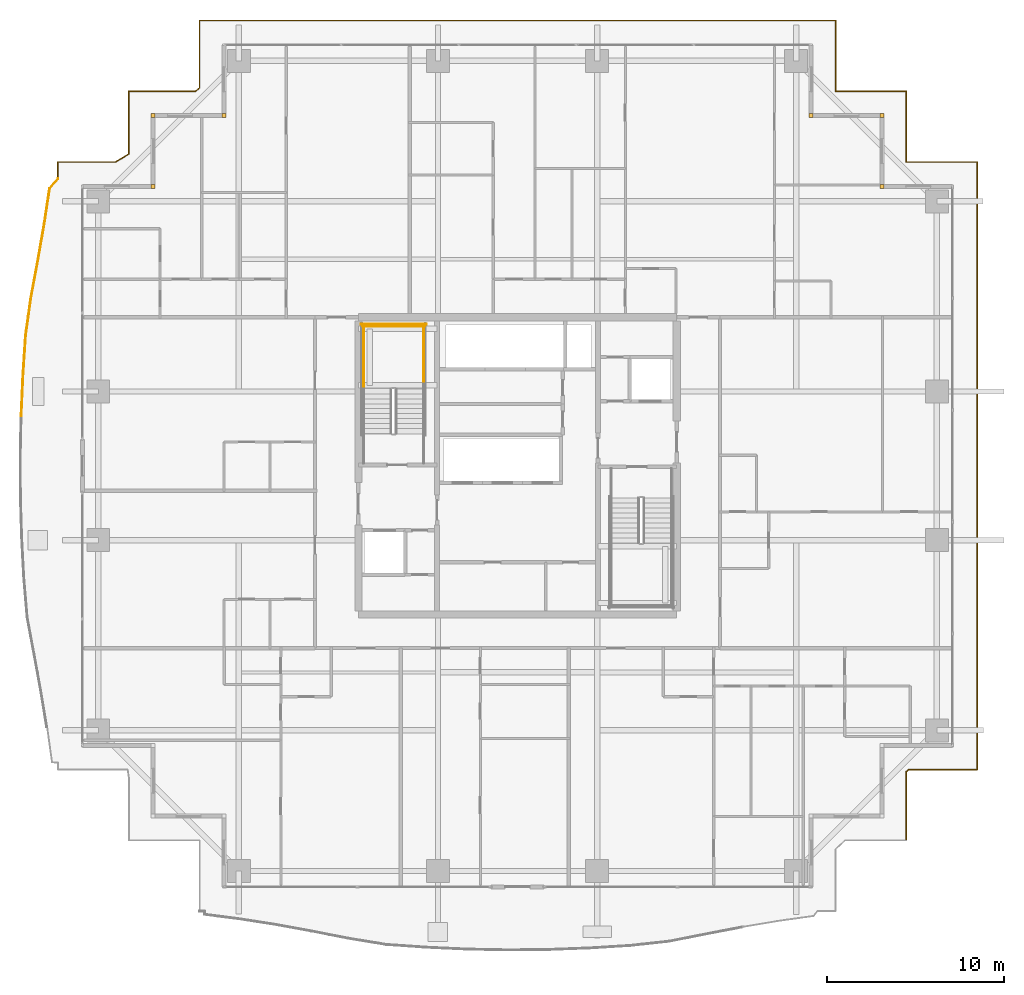
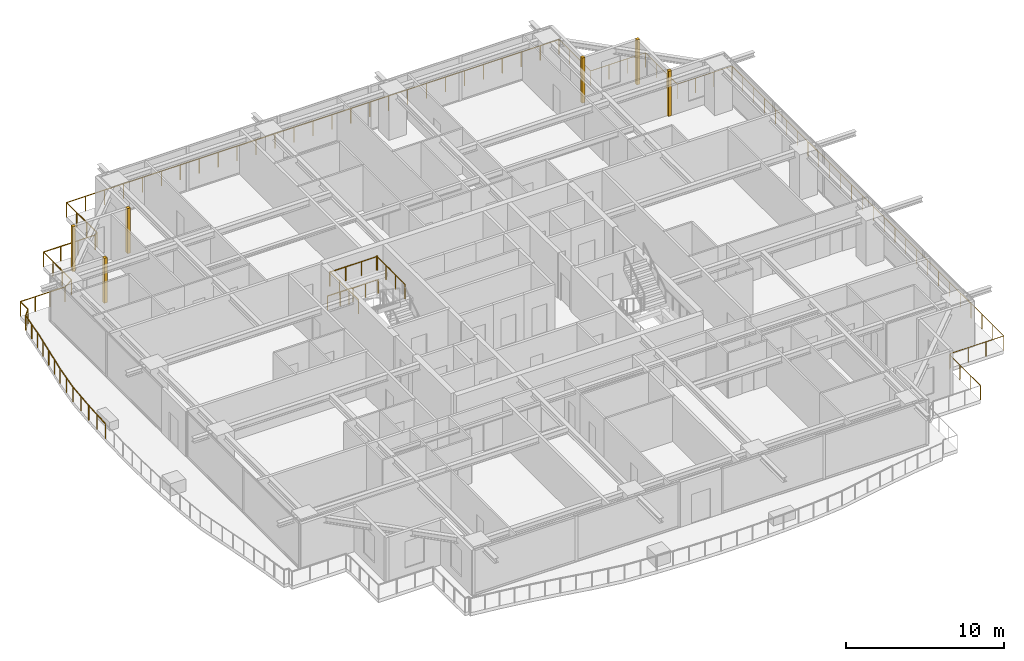
# One storey, part 35 of 35: 7 railings, 6 coverings.
"""IFC4 building model written with IfcOpenShell, lengths in metres."""

from ifc_helpers import new_model, si_unit, direction, frame, origin, origin_2d, place, context, subcontext, project, spatial, rectangle, circle, extrude, source, transform, mapped, material, layer, layer_set, type_object, element, save


model = new_model("IFC4")

# Units and contexts
model_context = context("Model", 3, precision=1e-05, world=origin(), true_north=direction((0.0, 1.0)))
body_context = subcontext(model_context, "Body", "Model", "MODEL_VIEW")
ifc_project = project(units=[si_unit("LENGTHUNIT", "METRE"), si_unit("AREAUNIT", "SQUARE_METRE"), si_unit("VOLUMEUNIT", "CUBIC_METRE"), si_unit("PLANEANGLEUNIT", "RADIAN"), si_unit("MASSUNIT", "GRAM", prefix="KILO")], contexts=[model_context])

# Site, building, storey
site_placement = place(None, origin())
site = spatial("IfcSite", under=ifc_project, at=site_placement, CompositionType="ELEMENT")
building_placement = place(site_placement, origin())
building = spatial("IfcBuilding", under=site, at=building_placement, Name="Serunith Strait Residences", CompositionType="ELEMENT")
storey_placement = place(building_placement, frame((0.0, 0.0, 172.64990234375)))
storey = spatial("IfcBuildingStorey", under=building, at=storey_placement, Name="L43", CompositionType="ELEMENT", Elevation=172.64990234375)

# Railings
ifc_material_1 = material(Name="Stainless Steel & Laminated Glass Balustrade", Category="steel")
railing_type_1 = type_object("IfcRailingType", Name="RLG-BALC-1150", PredefinedType="BALUSTRADE", material=ifc_material_1)
railing_1_placement = place(storey_placement, frame((4.347900390625, 28.03173828125, -0.0498046875)))
element("IfcRailing", 1, at=railing_1_placement, inside=storey, type_object=railing_type_1, Name="L43 Swirling Balcony Perimeter Balustrade 3", PredefinedType="BALUSTRADE", context=body_context, shape_type="SweptSolid", body=[
    extrude(circle(Radius=0.02392578125, at=origin_2d()), frame((0.0, 0.001953125, 1.1259765625), z_axis=(0.044476491801, 0.999010431215, 0.0), x_axis=(-0.999010431215, 0.044476491801, 0.0)), (0.0, 0.0, 1.0), 2.279541015625),
    extrude(circle(Radius=0.02392578125, at=origin_2d()), frame((0.101806640625, 2.283203125, 1.1259765625), z_axis=(0.064788803385, 0.997898998374, 0.0), x_axis=(-0.997898998374, 0.064788803385, 0.0)), (0.0, 0.0, 1.0), 2.253173828125),
    extrude(circle(Radius=0.02392578125, at=origin_2d()), frame((0.248046875, 4.53564453125, 1.1259765625), z_axis=(0.139038384885, 0.990286992507, 0.0), x_axis=(-0.990286992507, 0.139038384885, 0.0)), (0.0, 0.0, 1.0), 2.19091796875),
    extrude(circle(Radius=0.02392578125, at=origin_2d()), frame((0.553466796875, 6.709228515625, 1.1259765625), z_axis=(0.183983044867, 0.982929417202, 0.0), x_axis=(-0.982929417202, 0.183983044867, 0.0)), (0.0, 0.0, 1.0), 2.119140625),
    extrude(circle(Radius=0.02392578125, at=origin_2d()), frame((0.94384765625, 8.796142578125, 1.1259765625), z_axis=(0.171982866324, 0.985099940966, 0.0), x_axis=(-0.985099940966, 0.171982866324, 0.0)), (0.0, 0.0, 1.0), 2.067138671875),
    extrude(circle(Radius=0.02392578125, at=origin_2d()), frame((1.300048828125, 10.83642578125, 1.1259765625), z_axis=(0.150470041259, 0.988614569326, 0.0), x_axis=(-0.988614569326, 0.150470041259, 0.0)), (0.0, 0.0, 1.0), 2.03076171875),
    extrude(circle(Radius=0.02392578125, at=origin_2d()), frame((1.607177734375, 12.847412109375, 1.1259765625), z_axis=(0.647796160295, 0.761813713914, 0.0), x_axis=(-0.761813713914, 0.647796160295, 0.0)), (0.0, 0.0, 1.0), 0.715576171875),
    extrude(circle(Radius=0.02099609375, at=origin_2d()), origin(), (0.0, 0.0, 1.0), 1.099853515625),
    extrude(circle(Radius=0.02099609375, at=origin_2d()), frame((0.05078125, 1.140625, 0.0)), (0.0, 0.0, 1.0), 1.099853515625),
    extrude(circle(Radius=0.02099609375, at=origin_2d()), frame((0.1015625, 2.28125, 0.0)), (0.0, 0.0, 1.0), 1.099853515625),
    extrude(circle(Radius=0.02099609375, at=origin_2d()), frame((0.1748046875, 3.407470703125, 0.0)), (0.0, 0.0, 1.0), 1.099853515625),
    extrude(circle(Radius=0.02099609375, at=origin_2d()), frame((0.247802734375, 4.53369140625, 0.0)), (0.0, 0.0, 1.0), 1.099853515625),
    extrude(circle(Radius=0.02099609375, at=origin_2d()), frame((0.400390625, 5.62060546875, 0.0)), (0.0, 0.0, 1.0), 1.099853515625),
    extrude(circle(Radius=0.02099609375, at=origin_2d()), frame((0.552978515625, 6.707275390625, 0.0)), (0.0, 0.0, 1.0), 1.099853515625),
    extrude(circle(Radius=0.02099609375, at=origin_2d()), frame((0.748291015625, 7.750732421875, 0.0)), (0.0, 0.0, 1.0), 1.099853515625),
    extrude(circle(Radius=0.02099609375, at=origin_2d()), frame((0.943603515625, 8.794189453125, 0.0)), (0.0, 0.0, 1.0), 1.099853515625),
    extrude(circle(Radius=0.02099609375, at=origin_2d()), frame((1.12158203125, 9.814453125, 0.0)), (0.0, 0.0, 1.0), 1.099853515625),
    extrude(circle(Radius=0.02099609375, at=origin_2d()), frame((1.2998046875, 10.83447265625, 0.0)), (0.0, 0.0, 1.0), 1.099853515625),
    extrude(circle(Radius=0.02099609375, at=origin_2d()), frame((1.452880859375, 11.84033203125, 0.0)), (0.0, 0.0, 1.0), 1.099853515625),
    extrude(circle(Radius=0.02099609375, at=origin_2d()), frame((1.60595703125, 12.845947265625, 0.0)), (0.0, 0.0, 1.0), 1.099853515625),
    extrude(circle(Radius=0.02099609375, at=origin_2d()), frame((2.072021484375, 13.39404296875, 0.0)), (0.0, 0.0, 1.0), 1.099853515625),
])
railing_2_placement = place(storey_placement, frame((6.419921875, 41.42578125, -0.0498046875)))
element("IfcRailing", 2, at=railing_2_placement, inside=storey, type_object=railing_type_1, Name="L43 Swirling Balcony Perimeter Balustrade 4", PredefinedType="BALUSTRADE", context=body_context, shape_type="SweptSolid", body=[
    extrude(circle(Radius=0.02392578125, at=origin_2d()), frame((0.0, 0.001953125, 1.1259765625), z_axis=(0.0, 1.0, 0.0), x_axis=(-1.0, 0.0, 0.0)), (0.0, 0.0, 1.0), 0.9501953125),
    extrude(circle(Radius=0.02392578125, at=origin_2d()), frame((0.001953125, 0.9541015625, 1.1259765625), z_axis=(1.0, 0.0, 0.0), x_axis=(0.0, 1.0, 0.0)), (0.0, 0.0, 1.0), 3.257080078125),
    extrude(circle(Radius=0.02392578125, at=origin_2d()), frame((3.2626953125, 0.955078125, 1.1259765625), z_axis=(0.857642888026, 0.514245735635, 0.0), x_axis=(-0.514245735635, 0.857642888026, 0.0)), (0.0, 0.0, 1.0), 0.857666015625),
    extrude(circle(Radius=0.02392578125, at=origin_2d()), frame((4.0, 1.399169921875, 1.1259765625), z_axis=(0.0, 1.0, 0.0), x_axis=(-1.0, 0.0, 0.0)), (0.0, 0.0, 1.0), 3.552978515625),
    extrude(circle(Radius=0.02392578125, at=origin_2d()), frame((4.001953125, 4.9541015625, 1.1259765625), z_axis=(1.0, 0.0, 0.0), x_axis=(0.0, 1.0, 0.0)), (0.0, 0.0, 1.0), 3.7744140625),
    extrude(circle(Radius=0.02392578125, at=origin_2d()), frame((7.77978515625, 4.955322265625, 1.1259765625), z_axis=(0.777683480837, 0.628656029664, 0.0), x_axis=(-0.628656029664, 0.777683480837, 0.0)), (0.0, 0.0, 1.0), 0.281005859375),
    extrude(circle(Radius=0.02392578125, at=origin_2d()), frame((8.0, 5.13525390625, 1.1259765625), z_axis=(0.0, 1.0, 0.0), x_axis=(-1.0, 0.0, 0.0)), (0.0, 0.0, 1.0), 3.81689453125),
    extrude(circle(Radius=0.02392578125, at=origin_2d()), frame((8.001953125, 8.9541015625, 1.1259765625), z_axis=(1.0, 0.0, 0.0), x_axis=(0.0, 1.0, 0.0)), (0.0, 0.0, 1.0), 35.9560546875),
    extrude(circle(Radius=0.02099609375, at=origin_2d()), origin(), (0.0, 0.0, 1.0), 1.099853515625),
    extrude(circle(Radius=0.02099609375, at=origin_2d()), frame((0.0, 0.9541015625, 0.0)), (0.0, 0.0, 1.0), 1.099853515625),
    extrude(circle(Radius=0.02099609375, at=origin_2d()), frame((1.0869140625, 0.9541015625, 0.0)), (0.0, 0.0, 1.0), 1.099853515625),
    extrude(circle(Radius=0.02099609375, at=origin_2d()), frame((2.174072265625, 0.9541015625, 0.0)), (0.0, 0.0, 1.0), 1.099853515625),
    extrude(circle(Radius=0.02099609375, at=origin_2d()), frame((3.260986328125, 0.9541015625, 0.0)), (0.0, 0.0, 1.0), 1.099853515625),
    extrude(circle(Radius=0.02099609375, at=origin_2d()), frame((4.0, 1.397216796875, 0.0)), (0.0, 0.0, 1.0), 1.099853515625),
    extrude(circle(Radius=0.02099609375, at=origin_2d()), frame((4.0, 2.582763671875, 0.0)), (0.0, 0.0, 1.0), 1.099853515625),
    extrude(circle(Radius=0.02099609375, at=origin_2d()), frame((4.0, 3.7685546875, 0.0)), (0.0, 0.0, 1.0), 1.099853515625),
    extrude(circle(Radius=0.02099609375, at=origin_2d()), frame((4.0, 4.9541015625, 0.0)), (0.0, 0.0, 1.0), 1.099853515625),
    extrude(circle(Radius=0.02099609375, at=origin_2d()), frame((5.259521484375, 4.9541015625, 0.0)), (0.0, 0.0, 1.0), 1.099853515625),
    extrude(circle(Radius=0.02099609375, at=origin_2d()), frame((6.518798828125, 4.9541015625, 0.0)), (0.0, 0.0, 1.0), 1.099853515625),
    extrude(circle(Radius=0.02099609375, at=origin_2d()), frame((7.7783203125, 4.9541015625, 0.0)), (0.0, 0.0, 1.0), 1.099853515625),
    extrude(circle(Radius=0.02099609375, at=origin_2d()), frame((8.0, 5.13330078125, 0.0)), (0.0, 0.0, 1.0), 1.099853515625),
    extrude(circle(Radius=0.02099609375, at=origin_2d()), frame((8.0, 6.406982421875, 0.0)), (0.0, 0.0, 1.0), 1.099853515625),
    extrude(circle(Radius=0.02099609375, at=origin_2d()), frame((8.0, 7.680419921875, 0.0)), (0.0, 0.0, 1.0), 1.099853515625),
    extrude(circle(Radius=0.02099609375, at=origin_2d()), frame((8.0, 8.9541015625, 0.0)), (0.0, 0.0, 1.0), 1.099853515625),
    extrude(circle(Radius=0.02099609375, at=origin_2d()), frame((9.383056640625, 8.9541015625, 0.0)), (0.0, 0.0, 1.0), 1.099853515625),
    extrude(circle(Radius=0.02099609375, at=origin_2d()), frame((10.76611328125, 8.9541015625, 0.0)), (0.0, 0.0, 1.0), 1.099853515625),
    extrude(circle(Radius=0.02099609375, at=origin_2d()), frame((12.149169921875, 8.9541015625, 0.0)), (0.0, 0.0, 1.0), 1.099853515625),
    extrude(circle(Radius=0.02099609375, at=origin_2d()), frame((13.5322265625, 8.9541015625, 0.0)), (0.0, 0.0, 1.0), 1.099853515625),
    extrude(circle(Radius=0.02099609375, at=origin_2d()), frame((14.915283203125, 8.9541015625, 0.0)), (0.0, 0.0, 1.0), 1.099853515625),
    extrude(circle(Radius=0.02099609375, at=origin_2d()), frame((16.29833984375, 8.9541015625, 0.0)), (0.0, 0.0, 1.0), 1.099853515625),
    extrude(circle(Radius=0.02099609375, at=origin_2d()), frame((17.681640625, 8.9541015625, 0.0)), (0.0, 0.0, 1.0), 1.099853515625),
    extrude(circle(Radius=0.02099609375, at=origin_2d()), frame((19.064697265625, 8.9541015625, 0.0)), (0.0, 0.0, 1.0), 1.099853515625),
    extrude(circle(Radius=0.02099609375, at=origin_2d()), frame((20.44775390625, 8.9541015625, 0.0)), (0.0, 0.0, 1.0), 1.099853515625),
    extrude(circle(Radius=0.02099609375, at=origin_2d()), frame((21.830810546875, 8.9541015625, 0.0)), (0.0, 0.0, 1.0), 1.099853515625),
    extrude(circle(Radius=0.02099609375, at=origin_2d()), frame((23.2138671875, 8.9541015625, 0.0)), (0.0, 0.0, 1.0), 1.099853515625),
    extrude(circle(Radius=0.02099609375, at=origin_2d()), frame((24.596923828125, 8.9541015625, 0.0)), (0.0, 0.0, 1.0), 1.099853515625),
    extrude(circle(Radius=0.02099609375, at=origin_2d()), frame((25.97998046875, 8.9541015625, 0.0)), (0.0, 0.0, 1.0), 1.099853515625),
    extrude(circle(Radius=0.02099609375, at=origin_2d()), frame((27.363037109375, 8.9541015625, 0.0)), (0.0, 0.0, 1.0), 1.099853515625),
    extrude(circle(Radius=0.02099609375, at=origin_2d()), frame((28.74609375, 8.9541015625, 0.0)), (0.0, 0.0, 1.0), 1.099853515625),
    extrude(circle(Radius=0.02099609375, at=origin_2d()), frame((30.129150390625, 8.9541015625, 0.0)), (0.0, 0.0, 1.0), 1.099853515625),
    extrude(circle(Radius=0.02099609375, at=origin_2d()), frame((31.51220703125, 8.9541015625, 0.0)), (0.0, 0.0, 1.0), 1.099853515625),
    extrude(circle(Radius=0.02099609375, at=origin_2d()), frame((32.895263671875, 8.9541015625, 0.0)), (0.0, 0.0, 1.0), 1.099853515625),
    extrude(circle(Radius=0.02099609375, at=origin_2d()), frame((34.2783203125, 8.9541015625, 0.0)), (0.0, 0.0, 1.0), 1.099853515625),
    extrude(circle(Radius=0.02099609375, at=origin_2d()), frame((35.66162109375, 8.9541015625, 0.0)), (0.0, 0.0, 1.0), 1.099853515625),
    extrude(circle(Radius=0.02099609375, at=origin_2d()), frame((37.044677734375, 8.9541015625, 0.0)), (0.0, 0.0, 1.0), 1.099853515625),
    extrude(circle(Radius=0.02099609375, at=origin_2d()), frame((38.427734375, 8.9541015625, 0.0)), (0.0, 0.0, 1.0), 1.099853515625),
    extrude(circle(Radius=0.02099609375, at=origin_2d()), frame((39.810791015625, 8.9541015625, 0.0)), (0.0, 0.0, 1.0), 1.099853515625),
    extrude(circle(Radius=0.02099609375, at=origin_2d()), frame((41.19384765625, 8.9541015625, 0.0)), (0.0, 0.0, 1.0), 1.099853515625),
    extrude(circle(Radius=0.02099609375, at=origin_2d()), frame((42.576904296875, 8.9541015625, 0.0)), (0.0, 0.0, 1.0), 1.099853515625),
    extrude(circle(Radius=0.02099609375, at=origin_2d()), frame((43.9599609375, 8.9541015625, 0.0)), (0.0, 0.0, 1.0), 1.099853515625),
])
railing_3_placement = place(storey_placement, frame((50.3798828125, 50.3798828125, -0.0498046875)))
element("IfcRailing", 3, at=railing_3_placement, inside=storey, type_object=railing_type_1, Name="L43 Swirling Balcony Perimeter Balustrade 5", PredefinedType="BALUSTRADE", context=body_context, shape_type="SweptSolid", body=[
    extrude(circle(Radius=0.02392578125, at=origin_2d()), frame((0.0, -0.001953125, 1.1259765625), z_axis=(0.0, -1.0, 0.0), x_axis=(1.0, 0.0, 0.0)), (0.0, 0.0, 1.0), 3.99609375),
    extrude(circle(Radius=0.02392578125, at=origin_2d()), frame((0.001953125, -4.0, 1.1259765625), z_axis=(1.0, 0.0, 0.0), x_axis=(0.0, 1.0, 0.0)), (0.0, 0.0, 1.0), 3.99609375),
    extrude(circle(Radius=0.02392578125, at=origin_2d()), frame((4.0, -4.001953125, 1.1259765625), z_axis=(0.0, -1.0, 0.0), x_axis=(1.0, 0.0, 0.0)), (0.0, 0.0, 1.0), 3.99609375),
    extrude(circle(Radius=0.02392578125, at=origin_2d()), frame((4.001953125, -8.0, 1.1259765625), z_axis=(1.0, 0.0, 0.0), x_axis=(0.0, 1.0, 0.0)), (0.0, 0.0, 1.0), 3.99609375),
    extrude(circle(Radius=0.02392578125, at=origin_2d()), frame((8.0, -8.001953125, 1.1259765625), z_axis=(0.0, -1.0, 0.0), x_axis=(1.0, 0.0, 0.0)), (0.0, 0.0, 1.0), 34.35595703125),
    extrude(circle(Radius=0.02392578125, at=origin_2d()), frame((7.998046875, -42.35986328125, 1.1259765625), z_axis=(-1.0, 0.0, 0.0), x_axis=(0.0, -1.0, 0.0)), (0.0, 0.0, 1.0), 3.86083984375),
    extrude(circle(Radius=0.02392578125, at=origin_2d()), frame((4.133544921875, -42.361083984375, 1.1259765625), z_axis=(-0.809367380782, -0.587302684249, 0.0), x_axis=(0.587302684249, -0.809367380782, 0.0)), (0.0, 0.0, 1.0), 0.1630859375),
    extrude(circle(Radius=0.02392578125, at=origin_2d()), frame((4.0, -42.4599609375, 1.1259765625), z_axis=(0.0, -1.0, 0.0), x_axis=(1.0, 0.0, 0.0)), (0.0, 0.0, 1.0), 3.89794921875),
    extrude(circle(Radius=0.02099609375, at=origin_2d()), origin(), (0.0, 0.0, 1.0), 1.099853515625),
    extrude(circle(Radius=0.02099609375, at=origin_2d()), frame((0.0, -1.333251953125, 0.0)), (0.0, 0.0, 1.0), 1.099853515625),
    extrude(circle(Radius=0.02099609375, at=origin_2d()), frame((0.0, -2.666748046875, 0.0)), (0.0, 0.0, 1.0), 1.099853515625),
    extrude(circle(Radius=0.02099609375, at=origin_2d()), frame((0.0, -4.0, 0.0)), (0.0, 0.0, 1.0), 1.099853515625),
    extrude(circle(Radius=0.02099609375, at=origin_2d()), frame((1.333251953125, -4.0, 0.0)), (0.0, 0.0, 1.0), 1.099853515625),
    extrude(circle(Radius=0.02099609375, at=origin_2d()), frame((2.666748046875, -4.0, 0.0)), (0.0, 0.0, 1.0), 1.099853515625),
    extrude(circle(Radius=0.02099609375, at=origin_2d()), frame((4.0, -4.0, 0.0)), (0.0, 0.0, 1.0), 1.099853515625),
    extrude(circle(Radius=0.02099609375, at=origin_2d()), frame((4.0, -5.333251953125, 0.0)), (0.0, 0.0, 1.0), 1.099853515625),
    extrude(circle(Radius=0.02099609375, at=origin_2d()), frame((4.0, -6.666748046875, 0.0)), (0.0, 0.0, 1.0), 1.099853515625),
    extrude(circle(Radius=0.02099609375, at=origin_2d()), frame((4.0, -8.0, 0.0)), (0.0, 0.0, 1.0), 1.099853515625),
    extrude(circle(Radius=0.02099609375, at=origin_2d()), frame((5.333251953125, -8.0, 0.0)), (0.0, 0.0, 1.0), 1.099853515625),
    extrude(circle(Radius=0.02099609375, at=origin_2d()), frame((6.666748046875, -8.0, 0.0)), (0.0, 0.0, 1.0), 1.099853515625),
    extrude(circle(Radius=0.02099609375, at=origin_2d()), frame((8.0, -8.0, 0.0)), (0.0, 0.0, 1.0), 1.099853515625),
    extrude(circle(Radius=0.02099609375, at=origin_2d()), frame((8.0, -9.37451171875, 0.0)), (0.0, 0.0, 1.0), 1.099853515625),
    extrude(circle(Radius=0.02099609375, at=origin_2d()), frame((8.0, -10.748779296875, 0.0)), (0.0, 0.0, 1.0), 1.099853515625),
    extrude(circle(Radius=0.02099609375, at=origin_2d()), frame((8.0, -12.123291015625, 0.0)), (0.0, 0.0, 1.0), 1.099853515625),
    extrude(circle(Radius=0.02099609375, at=origin_2d()), frame((8.0, -13.49755859375, 0.0)), (0.0, 0.0, 1.0), 1.099853515625),
    extrude(circle(Radius=0.02099609375, at=origin_2d()), frame((8.0, -14.8720703125, 0.0)), (0.0, 0.0, 1.0), 1.099853515625),
    extrude(circle(Radius=0.02099609375, at=origin_2d()), frame((8.0, -16.246337890625, 0.0)), (0.0, 0.0, 1.0), 1.099853515625),
    extrude(circle(Radius=0.02099609375, at=origin_2d()), frame((8.0, -17.620849609375, 0.0)), (0.0, 0.0, 1.0), 1.099853515625),
    extrude(circle(Radius=0.02099609375, at=origin_2d()), frame((8.0, -18.9951171875, 0.0)), (0.0, 0.0, 1.0), 1.099853515625),
    extrude(circle(Radius=0.02099609375, at=origin_2d()), frame((8.0, -20.36962890625, 0.0)), (0.0, 0.0, 1.0), 1.099853515625),
    extrude(circle(Radius=0.02099609375, at=origin_2d()), frame((8.0, -21.743896484375, 0.0)), (0.0, 0.0, 1.0), 1.099853515625),
    extrude(circle(Radius=0.02099609375, at=origin_2d()), frame((8.0, -23.118408203125, 0.0)), (0.0, 0.0, 1.0), 1.099853515625),
    extrude(circle(Radius=0.02099609375, at=origin_2d()), frame((8.0, -24.49267578125, 0.0)), (0.0, 0.0, 1.0), 1.099853515625),
    extrude(circle(Radius=0.02099609375, at=origin_2d()), frame((8.0, -25.8671875, 0.0)), (0.0, 0.0, 1.0), 1.099853515625),
    extrude(circle(Radius=0.02099609375, at=origin_2d()), frame((8.0, -27.241455078125, 0.0)), (0.0, 0.0, 1.0), 1.099853515625),
    extrude(circle(Radius=0.02099609375, at=origin_2d()), frame((8.0, -28.615966796875, 0.0)), (0.0, 0.0, 1.0), 1.099853515625),
    extrude(circle(Radius=0.02099609375, at=origin_2d()), frame((8.0, -29.990234375, 0.0)), (0.0, 0.0, 1.0), 1.099853515625),
    extrude(circle(Radius=0.02099609375, at=origin_2d()), frame((8.0, -31.36474609375, 0.0)), (0.0, 0.0, 1.0), 1.099853515625),
    extrude(circle(Radius=0.02099609375, at=origin_2d()), frame((8.0, -32.739013671875, 0.0)), (0.0, 0.0, 1.0), 1.099853515625),
    extrude(circle(Radius=0.02099609375, at=origin_2d()), frame((8.0, -34.113525390625, 0.0)), (0.0, 0.0, 1.0), 1.099853515625),
    extrude(circle(Radius=0.02099609375, at=origin_2d()), frame((8.0, -35.48779296875, 0.0)), (0.0, 0.0, 1.0), 1.099853515625),
    extrude(circle(Radius=0.02099609375, at=origin_2d()), frame((8.0, -36.8623046875, 0.0)), (0.0, 0.0, 1.0), 1.099853515625),
    extrude(circle(Radius=0.02099609375, at=origin_2d()), frame((8.0, -38.236572265625, 0.0)), (0.0, 0.0, 1.0), 1.099853515625),
    extrude(circle(Radius=0.02099609375, at=origin_2d()), frame((8.0, -39.611083984375, 0.0)), (0.0, 0.0, 1.0), 1.099853515625),
    extrude(circle(Radius=0.02099609375, at=origin_2d()), frame((8.0, -40.9853515625, 0.0)), (0.0, 0.0, 1.0), 1.099853515625),
    extrude(circle(Radius=0.02099609375, at=origin_2d()), frame((8.0, -42.35986328125, 0.0)), (0.0, 0.0, 1.0), 1.099853515625),
    extrude(circle(Radius=0.02099609375, at=origin_2d()), frame((6.711669921875, -42.35986328125, 0.0)), (0.0, 0.0, 1.0), 1.099853515625),
    extrude(circle(Radius=0.02099609375, at=origin_2d()), frame((5.423583984375, -42.35986328125, 0.0)), (0.0, 0.0, 1.0), 1.099853515625),
    extrude(circle(Radius=0.02099609375, at=origin_2d()), frame((4.13525390625, -42.35986328125, 0.0)), (0.0, 0.0, 1.0), 1.099853515625),
    extrude(circle(Radius=0.02099609375, at=origin_2d()), frame((4.0, -42.4580078125, 0.0)), (0.0, 0.0, 1.0), 1.099853515625),
    extrude(circle(Radius=0.02099609375, at=origin_2d()), frame((4.0, -43.758544921875, 0.0)), (0.0, 0.0, 1.0), 1.099853515625),
    extrude(circle(Radius=0.02099609375, at=origin_2d()), frame((4.0, -45.059326171875, 0.0)), (0.0, 0.0, 1.0), 1.099853515625),
    extrude(circle(Radius=0.02099609375, at=origin_2d()), frame((4.0, -46.35986328125, 0.0)), (0.0, 0.0, 1.0), 1.099853515625),
])
ifc_material_2 = material(Name="Brushed stainless steel 316L", Category="steel")
railing_type_2 = type_object("IfcRailingType", Name="RLG-STAIR-GUARD", PredefinedType="BALUSTRADE", material=ifc_material_2)
for number, where, name in (
    (4, (27.10009765625, 29.550048828125, 1.875), "L43 ST-1 stair guard 3"),
    (5, (23.699951171875, 29.550048828125, 1.875), "L43 ST-1 stair guard 4"),
):
    element("IfcRailing", number, at=place(storey_placement, frame(where)), inside=storey, type_object=railing_type_2, Name=name, PredefinedType="BALUSTRADE", context=body_context, shape_type="SweptSolid", body=[
        extrude(circle(Radius=0.02392578125, at=origin_2d()), frame((0.0, 0.001953125, 1.076171875), z_axis=(0.0, 1.0, 0.0), x_axis=(-1.0, 0.0, 0.0)), (0.0, 0.0, 1.0), 3.595947265625),
        extrude(circle(Radius=0.02099609375, at=origin_2d()), origin(), (0.0, 0.0, 1.0), 1.050048828125),
        extrude(circle(Radius=0.02099609375, at=origin_2d()), frame((0.0, 1.199951171875, 0.0)), (0.0, 0.0, 1.0), 1.050048828125),
        extrude(circle(Radius=0.02099609375, at=origin_2d()), frame((0.0, 2.39990234375, 0.0)), (0.0, 0.0, 1.0), 1.050048828125),
        extrude(circle(Radius=0.02099609375, at=origin_2d()), frame((0.0, 3.599853515625, 0.0)), (0.0, 0.0, 1.0), 1.050048828125),
    ])
railing_4_placement = place(storey_placement, frame((27.14990234375, 33.10009765625, 1.875)))
element("IfcRailing", 6, at=railing_4_placement, inside=storey, type_object=railing_type_2, Name="L43 ST-1 stair guard 5", PredefinedType="BALUSTRADE", context=body_context, shape_type="SweptSolid", body=[
    extrude(circle(Radius=0.02392578125, at=origin_2d()), frame((-0.001953125, 0.0, 1.076171875), z_axis=(-1.0, 0.0, 0.0), x_axis=(0.0, -1.0, 0.0)), (0.0, 0.0, 1.0), 3.49609375),
    extrude(circle(Radius=0.02099609375, at=origin_2d()), origin(), (0.0, 0.0, 1.0), 1.050048828125),
    extrude(circle(Radius=0.02099609375, at=origin_2d()), frame((-1.166748046875, 0.0, 0.0)), (0.0, 0.0, 1.0), 1.050048828125),
    extrude(circle(Radius=0.02099609375, at=origin_2d()), frame((-2.333251953125, 0.0, 0.0)), (0.0, 0.0, 1.0), 1.050048828125),
    extrude(circle(Radius=0.02099609375, at=origin_2d()), frame((-3.5, 0.0, 0.0)), (0.0, 0.0, 1.0), 1.050048828125),
])
railing_5_placement = place(storey_placement, frame((27.25, 33.199951171875, 0.0)))
element("IfcRailing", 7, at=railing_5_placement, inside=storey, type_object=railing_type_2, Name="L43 ST-1 stair guard 12", PredefinedType="BALUSTRADE", context=body_context, shape_type="SweptSolid", body=[
    extrude(circle(Radius=0.02392578125, at=origin_2d()), frame((-0.001953125, 0.0, 1.076171875), z_axis=(-1.0, 0.0, 0.0), x_axis=(0.0, -1.0, 0.0)), (0.0, 0.0, 1.0), 3.696044921875),
    extrude(circle(Radius=0.02099609375, at=origin_2d()), origin(), (0.0, 0.0, 1.0), 1.050048828125),
    extrude(circle(Radius=0.02099609375, at=origin_2d()), frame((-0.925048828125, 0.0, 0.0)), (0.0, 0.0, 1.0), 1.050048828125),
    extrude(circle(Radius=0.02099609375, at=origin_2d()), frame((-1.85009765625, 0.0, 0.0)), (0.0, 0.0, 1.0), 1.050048828125),
    extrude(circle(Radius=0.02099609375, at=origin_2d()), frame((-2.77490234375, 0.0, 0.0)), (0.0, 0.0, 1.0), 1.050048828125),
    extrude(circle(Radius=0.02099609375, at=origin_2d()), frame((-3.699951171875, 0.0, 0.0)), (0.0, 0.0, 1.0), 1.050048828125),
])

# Coverings
ifc_material_3 = material(Name="Pale-Champagne Anodised Aluminium", Category="aluminium")
ifc_layer = layer(ifc_material_3, 0.219970703125, Name="Pale-Champagne Anodised Aluminium")
ifc_layer_set = layer_set([ifc_layer], Name="Pale-Champagne Anodised Aluminium")
covering_type = type_object("IfcCoveringType", Name="COV-CORN-TRIM", PredefinedType="CLADDING", material=ifc_layer_set)
shared_shape = source(origin(), body_context, "Body", "SweptSolid", [
    extrude(rectangle(XDim=0.221923828125, YDim=0.221923828125, at=origin_2d()), origin(), (0.0, 0.0, 1.0), 3.47509765625),
])
for number, where, z_axis, x_axis, name in (
    (8, (53.0, 41.0, 0.0), (0.0, 0.0, 1.0), (1.0, 0.0, 0.0), "L43 Girih Serrated Corner Trim Post 07"),
    (9, (53.0, 45.0, 0.0), (0.0, 0.0, 1.0), (1.0, 0.0, 0.0), "L43 Girih Serrated Corner Trim Post 08"),
    (10, (49.0, 45.0, 0.0), (0.0, 0.0, 1.0), (1.0, 0.0, 0.0), "L43 Girih Serrated Corner Trim Post 09"),
    (11, (15.800048828125, 45.0, 0.0), (0.0, 0.0, 1.0), (1.0, 0.0, 0.0), "L43 Girih Serrated Corner Trim Post 12"),
    (12, (11.800048828125, 45.0, 0.0), (0.0, 0.0, 1.0), (1.0, 0.0, 0.0), "L43 Girih Serrated Corner Trim Post 13"),
    (13, (11.800048828125, 41.0, 0.0), (0.0, 0.0, 1.0), (1.0, 0.0, 0.0), "L43 Girih Serrated Corner Trim Post 14"),
):
    element("IfcCovering", number, at=place(storey_placement, frame(where, z_axis=z_axis, x_axis=x_axis)), inside=storey, type_object=covering_type, Name=name, PredefinedType="CLADDING", context=body_context, shape_type="MappedRepresentation", body=[
        mapped(shared_shape, transform((0.0, 0.0, 0.0), scale=1.0)),
    ])

save(model, "model.ifc")
